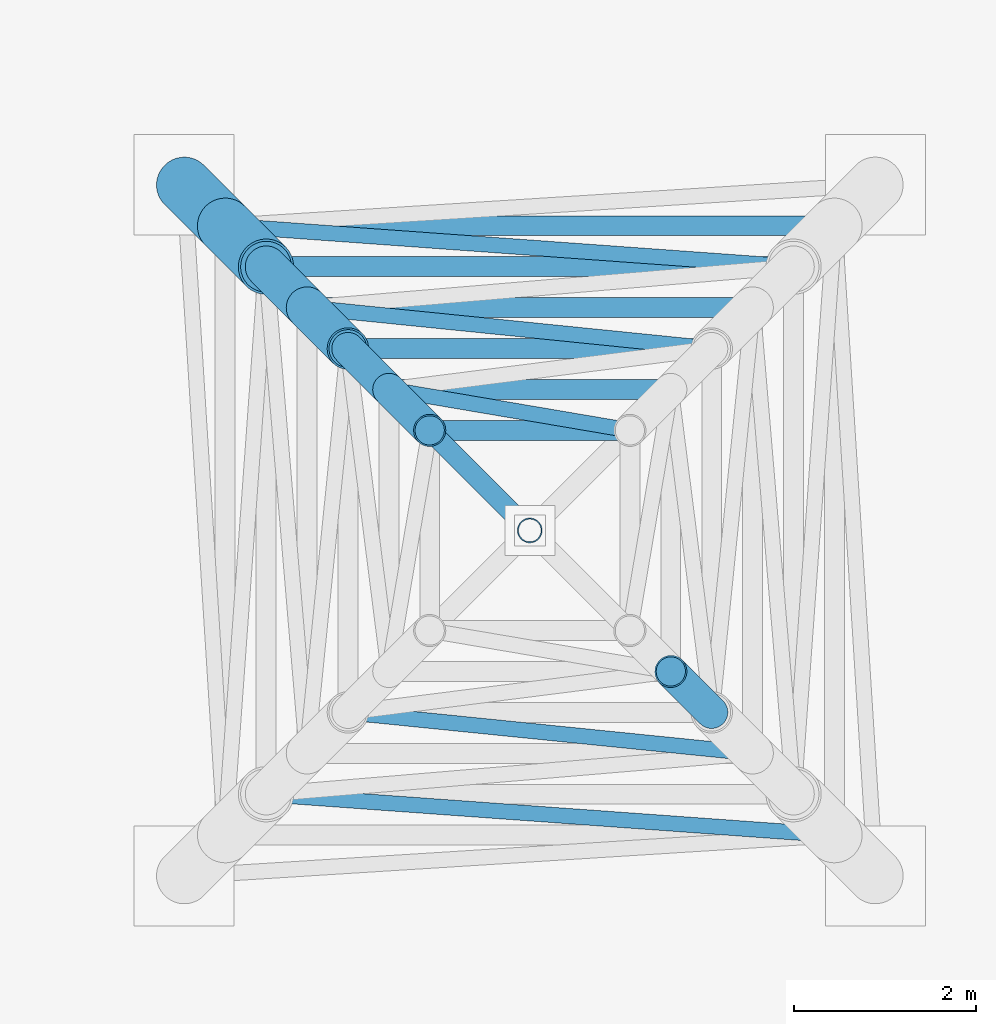
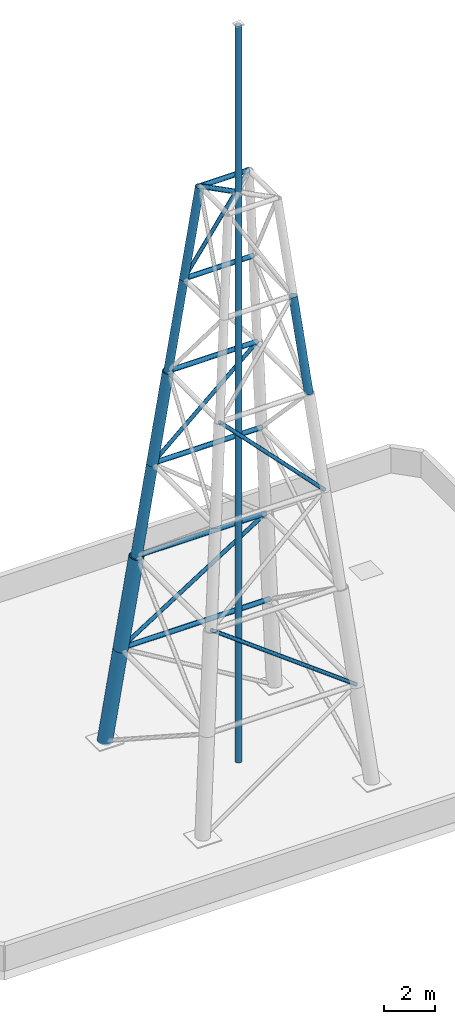
# One storey, part 2 of 3: 20 members.
"""IFC4 building model written with IfcOpenShell, lengths in metres."""

from ifc_helpers import new_model, si_unit, direction, frame, origin, origin_2d, place, context, subcontext, project, spatial, hollow_circle, extrude, material, material_profile, profile_set, type_object, element, save


model = new_model("IFC4")

# Units and contexts
model_context = context("Model", 3, precision=1e-05, world=origin(), true_north=direction((0.0, 1.0)))
body_context = subcontext(model_context, "Body", "Model", "MODEL_VIEW")
ifc_project = project(units=[si_unit("LENGTHUNIT", "METRE"), si_unit("AREAUNIT", "SQUARE_METRE"), si_unit("VOLUMEUNIT", "CUBIC_METRE"), si_unit("PLANEANGLEUNIT", "RADIAN"), si_unit("MASSUNIT", "GRAM", prefix="KILO")], contexts=[model_context])

# Site, building, storey
site_placement = place(None, origin())
site = spatial("IfcSite", under=ifc_project, at=site_placement, CompositionType="ELEMENT")
building_placement = place(site_placement, origin())
building = spatial("IfcBuilding", under=site, at=building_placement, Name="Ventersveld Concourse Tower", CompositionType="ELEMENT")
storey_placement = place(building_placement, frame((0.0, 0.0, 393.64990234375)))
storey = spatial("IfcBuildingStorey", under=building, at=storey_placement, Name="RF", CompositionType="ELEMENT", Elevation=393.64990234375)

# Members
ifc_material = material(Name="Structural steel S355J2", Category="steel")
ifc_material_profile_1 = material_profile(ifc_material, hollow_circle(Radius=0.084228515625, WallThickness=0.008056640625, at=origin_2d()), Name="CHS 168.3x8")
ifc_profile_set_1 = profile_set([ifc_material_profile_1], Name="Structural steel S355J2")
member_type_1 = type_object("IfcMemberType", Name="MAST-BRC-168", PredefinedType="USERDEFINED", material=ifc_profile_set_1)
for number, where, z_axis, x_axis, name in (
    (1, (32.10009765625, 4.449951171875, 4.5), (-0.810152839896, 0.058324675153, 0.583310044725), (-0.071806346326, -0.997418592481, 0.0), "Broadcast Mast Lattice Diagonal Brace T2-F1"),
    (2, (25.39990234375, 11.14990234375, 4.5), (0.810152839896, -0.058324675153, 0.583310044725), (0.071806346326, 0.997418592481, 0.0), "Broadcast Mast Lattice Diagonal Brace T2-F3"),
):
    element("IfcMember", number, at=place(storey_placement, frame(where, z_axis=z_axis, x_axis=x_axis)), inside=storey, type_object=member_type_1, Name=name, ObjectType="MAST", PredefinedType="USERDEFINED", context=body_context, shape_type="SweptSolid", body=[
        extrude(hollow_circle(Radius=0.084228515625, WallThickness=0.008056640625, at=origin_2d()), origin(), (0.0, 0.0, 1.0), 7.714599609375),
    ])
for number, where, z_axis, x_axis, name in (
    (3, (31.199951171875, 5.35009765625, 13.5), (-0.701371171956, 0.070918256977, 0.709259529352), (-0.100600769697, -0.994926874266, 0.0), "Broadcast Mast Lattice Diagonal Brace T4-F1"),
    (4, (26.300048828125, 10.25, 13.5), (0.701371171956, -0.070918256977, 0.709259529352), (0.100600769697, 0.994926874266, 0.0), "Broadcast Mast Lattice Diagonal Brace T4-F3"),
):
    element("IfcMember", number, at=place(storey_placement, frame(where, z_axis=z_axis, x_axis=x_axis)), inside=storey, type_object=member_type_1, Name=name, ObjectType="MAST", PredefinedType="USERDEFINED", context=body_context, shape_type="SweptSolid", body=[
        extrude(hollow_circle(Radius=0.084228515625, WallThickness=0.008056640625, at=origin_2d()), origin(), (0.0, 0.0, 1.0), 6.3447265625),
    ])
member_1_placement = place(storey_placement, frame((27.199951171875, 9.35009765625, 22.5), z_axis=(0.505584212012, -0.085886438227, 0.858491772991), x_axis=(0.167476326504, 0.985876097723, 0.0)))
element("IfcMember", 5, at=member_1_placement, inside=storey, type_object=member_type_1, Name="Broadcast Mast Lattice Diagonal Brace T6-F3", ObjectType="MAST", PredefinedType="USERDEFINED", context=body_context, shape_type="SweptSolid", body=[
    extrude(hollow_circle(Radius=0.084228515625, WallThickness=0.008056640625, at=origin_2d()), origin(), (0.0, 0.0, 1.0), 5.24169921875),
])
ifc_material_profile_2 = material_profile(ifc_material, hollow_circle(Radius=0.109619140625, WallThickness=0.010009765625, at=origin_2d()), Name="CHS 219.1x10")
ifc_profile_set_2 = profile_set([ifc_material_profile_2], Name="Structural steel S355J2")
member_type_2 = type_object("IfcMemberType", Name="MAST-GRT-219", PredefinedType="USERDEFINED", material=ifc_profile_set_2)
member_2_placement = place(storey_placement, frame((32.10009765625, 11.14990234375, 4.5), z_axis=(-1.0, 0.0, 0.0), x_axis=(0.0, -1.0, 0.0)))
element("IfcMember", 6, at=member_2_placement, inside=storey, type_object=member_type_2, Name="Broadcast Mast Horizontal Girt T1-F3", ObjectType="MAST", PredefinedType="USERDEFINED", context=body_context, shape_type="SweptSolid", body=[
    extrude(hollow_circle(Radius=0.109619140625, WallThickness=0.010009765625, at=origin_2d()), origin(), (0.0, 0.0, 1.0), 6.7001953125),
])
member_3_placement = place(storey_placement, frame((31.64990234375, 10.699951171875, 9.0), z_axis=(-1.0, 0.0, 0.0), x_axis=(0.0, -1.0, 0.0)))
element("IfcMember", 7, at=member_3_placement, inside=storey, type_object=member_type_2, Name="Broadcast Mast Horizontal Girt T2-F3", ObjectType="MAST", PredefinedType="USERDEFINED", context=body_context, shape_type="SweptSolid", body=[
    extrude(hollow_circle(Radius=0.109619140625, WallThickness=0.010009765625, at=origin_2d()), origin(), (0.0, 0.0, 1.0), 5.7998046875),
])
member_4_placement = place(storey_placement, frame((31.199951171875, 10.25, 13.5), z_axis=(-1.0, 0.0, 0.0), x_axis=(0.0, -1.0, 0.0)))
element("IfcMember", 8, at=member_4_placement, inside=storey, type_object=member_type_2, Name="Broadcast Mast Horizontal Girt T3-F3", ObjectType="MAST", PredefinedType="USERDEFINED", context=body_context, shape_type="SweptSolid", body=[
    extrude(hollow_circle(Radius=0.109619140625, WallThickness=0.010009765625, at=origin_2d()), origin(), (0.0, 0.0, 1.0), 4.89990234375),
])
member_5_placement = place(storey_placement, frame((30.75, 9.800048828125, 18.0), z_axis=(-1.0, 0.0, 0.0), x_axis=(0.0, -1.0, 0.0)))
element("IfcMember", 9, at=member_5_placement, inside=storey, type_object=member_type_2, Name="Broadcast Mast Horizontal Girt T4-F3", ObjectType="MAST", PredefinedType="USERDEFINED", context=body_context, shape_type="SweptSolid", body=[
    extrude(hollow_circle(Radius=0.109619140625, WallThickness=0.010009765625, at=origin_2d()), origin(), (0.0, 0.0, 1.0), 4.0),
])
member_6_placement = place(storey_placement, frame((30.300048828125, 9.35009765625, 22.5), z_axis=(-1.0, 0.0, 0.0), x_axis=(0.0, -1.0, 0.0)))
element("IfcMember", 10, at=member_6_placement, inside=storey, type_object=member_type_2, Name="Broadcast Mast Horizontal Girt T5-F3", ObjectType="MAST", PredefinedType="USERDEFINED", context=body_context, shape_type="SweptSolid", body=[
    extrude(hollow_circle(Radius=0.109619140625, WallThickness=0.010009765625, at=origin_2d()), origin(), (0.0, 0.0, 1.0), 3.10009765625),
])
member_7_placement = place(storey_placement, frame((29.85009765625, 8.89990234375, 27.0), z_axis=(-1.0, 0.0, 0.0), x_axis=(0.0, -1.0, 0.0)))
element("IfcMember", 11, at=member_7_placement, inside=storey, type_object=member_type_2, Name="Broadcast Mast Horizontal Girt T6-F3", ObjectType="MAST", PredefinedType="USERDEFINED", context=body_context, shape_type="SweptSolid", body=[
    extrude(hollow_circle(Radius=0.109619140625, WallThickness=0.010009765625, at=origin_2d()), origin(), (0.0, 0.0, 1.0), 2.2001953125),
])
member_8_placement = place(storey_placement, frame((28.75, 7.800048828125, 27.0), z_axis=(-0.707185248342, 0.707028305322, 0.0), x_axis=(-0.707028305322, -0.707185248342, 0.0)))
element("IfcMember", 12, at=member_8_placement, inside=storey, type_object=member_type_2, Name="Broadcast Mast Top Cap Split Cross-Tie 2B", ObjectType="MAST", PredefinedType="USERDEFINED", context=body_context, shape_type="SweptSolid", body=[
    extrude(hollow_circle(Radius=0.109619140625, WallThickness=0.010009765625, at=origin_2d()), origin(), (0.0, 0.0, 1.0), 1.5556640625),
])
ifc_material_profile_3 = material_profile(ifc_material, hollow_circle(Radius=0.177734375, WallThickness=0.01611328125, at=origin_2d()), Name="CHS 355.6x16")
ifc_profile_set_3 = profile_set([ifc_material_profile_3], Name="Structural steel S355J2")
member_type_3 = type_object("IfcMemberType", Name="MAST-LEG-355", PredefinedType="USERDEFINED", material=ifc_profile_set_3)
for number, where, z_axis, x_axis, name in (
    (13, (30.75, 5.800048828125, 18.0), (-0.099004221138, 0.099004221138, 0.990149649494), (-0.707106781187, -0.707106781187, 0.0), "Broadcast Mast Corner Leg T5-L2"),
    (14, (26.75, 9.800048828125, 18.0), (0.099004221138, -0.099004221138, 0.990149649494), (0.707106781187, 0.707106781187, 0.0), "Broadcast Mast Corner Leg T5-L4"),
    (15, (27.199951171875, 9.35009765625, 22.5), (0.099003694454, -0.099057413225, 0.990144382083), (0.707298538947, 0.70691497141, 0.0), "Broadcast Mast Corner Leg T6-L4"),
):
    element("IfcMember", number, at=place(storey_placement, frame(where, z_axis=z_axis, x_axis=x_axis)), inside=storey, type_object=member_type_3, Name=name, ObjectType="MAST", PredefinedType="USERDEFINED", context=body_context, shape_type="SweptSolid", body=[
        extrude(hollow_circle(Radius=0.177734375, WallThickness=0.01611328125, at=origin_2d()), origin(), (0.0, 0.0, 1.0), 4.544677734375),
    ])
ifc_material_profile_4 = material_profile(ifc_material, hollow_circle(Radius=0.228515625, WallThickness=0.02001953125, at=origin_2d()), Name="CHS 457x20")
ifc_profile_set_4 = profile_set([ifc_material_profile_4], Name="Structural steel S355J2")
member_type_4 = type_object("IfcMemberType", Name="MAST-LEG-457", PredefinedType="USERDEFINED", material=ifc_profile_set_4)
for number, where, z_axis, x_axis, name in (
    (16, (25.85009765625, 10.699951171875, 9.0), (0.099004221138, -0.099004221138, 0.990149649494), (0.707106781187, 0.707106781187, 0.0), "Broadcast Mast Corner Leg T3-L4"),
    (17, (26.300048828125, 10.25, 13.5), (0.099004221138, -0.099004221138, 0.990149649494), (0.707106781187, 0.707106781187, 0.0), "Broadcast Mast Corner Leg T4-L4"),
):
    element("IfcMember", number, at=place(storey_placement, frame(where, z_axis=z_axis, x_axis=x_axis)), inside=storey, type_object=member_type_4, Name=name, ObjectType="MAST", PredefinedType="USERDEFINED", context=body_context, shape_type="SweptSolid", body=[
        extrude(hollow_circle(Radius=0.228515625, WallThickness=0.02001953125, at=origin_2d()), origin(), (0.0, 0.0, 1.0), 4.544677734375),
    ])
ifc_material_profile_5 = material_profile(ifc_material, hollow_circle(Radius=0.304931640625, WallThickness=0.02490234375, at=origin_2d()), Name="CHS 610x25")
ifc_profile_set_5 = profile_set([ifc_material_profile_5], Name="Structural steel S355J2")
member_type_5 = type_object("IfcMemberType", Name="MAST-LEG-610", PredefinedType="USERDEFINED", material=ifc_profile_set_5)
for number, where, z_axis, x_axis, name in (
    (18, (24.949951171875, 11.60009765625, 0.0), (0.099003694454, -0.099057413225, 0.990144382083), (0.707298538947, 0.70691497141, 0.0), "Broadcast Mast Corner Leg T1-L4"),
    (19, (25.39990234375, 11.14990234375, 4.5), (0.099057413225, -0.099003694454, 0.990144382083), (0.70691497141, 0.707298538947, 0.0), "Broadcast Mast Corner Leg T2-L4"),
):
    element("IfcMember", number, at=place(storey_placement, frame(where, z_axis=z_axis, x_axis=x_axis)), inside=storey, type_object=member_type_5, Name=name, ObjectType="MAST", PredefinedType="USERDEFINED", context=body_context, shape_type="SweptSolid", body=[
        extrude(hollow_circle(Radius=0.304931640625, WallThickness=0.02490234375, at=origin_2d()), origin(), (0.0, 0.0, 1.0), 4.544677734375),
    ])
ifc_material_profile_6 = material_profile(ifc_material, hollow_circle(Radius=0.136474609375, WallThickness=0.012451171875, at=origin_2d()), Name="CHS 273x12.5")
ifc_profile_set_6 = profile_set([ifc_material_profile_6], Name="Structural steel S355J2")
member_type_6 = type_object("IfcMemberType", Name="MAST-POLE-273", PredefinedType="USERDEFINED", material=ifc_profile_set_6)
member_9_placement = place(storey_placement, frame((28.75, 7.800048828125, 0.0), z_axis=(0.0, 0.0, 1.0), x_axis=(1.0, 0.0, 0.0)))
element("IfcMember", 20, at=member_9_placement, inside=storey, type_object=member_type_6, Name="Broadcast Mast Central Antenna Spire Pole", ObjectType="MAST", PredefinedType="USERDEFINED", context=body_context, shape_type="SweptSolid", body=[
    extrude(hollow_circle(Radius=0.136474609375, WallThickness=0.012451171875, at=origin_2d()), origin(), (0.0, 0.0, 1.0), 34.9501953125),
])

save(model, "model.ifc")
